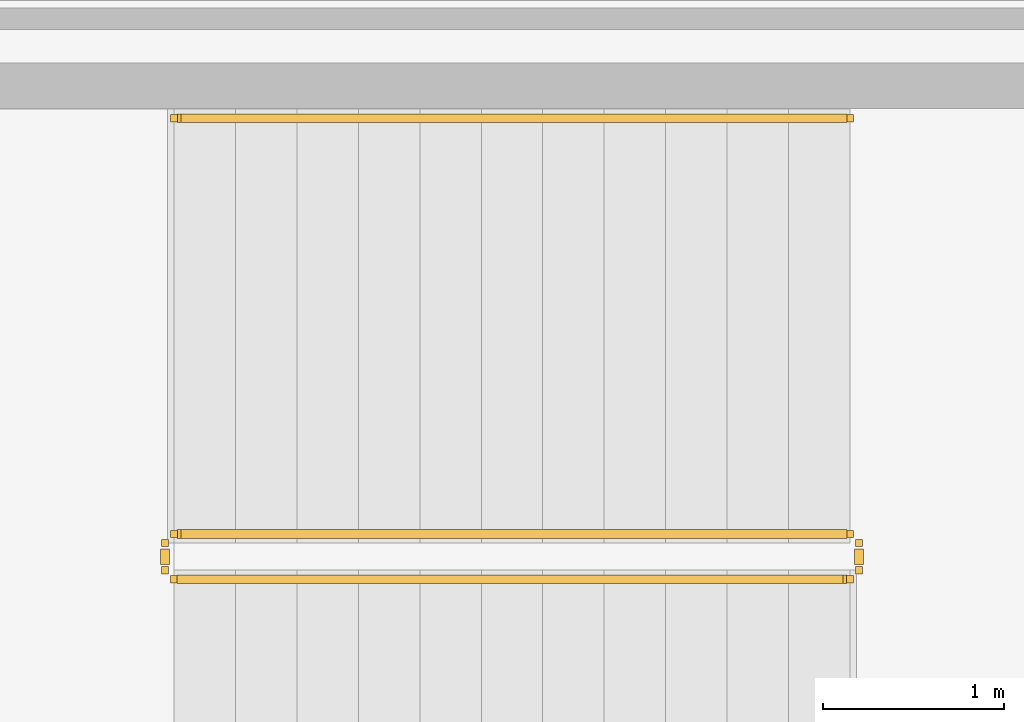
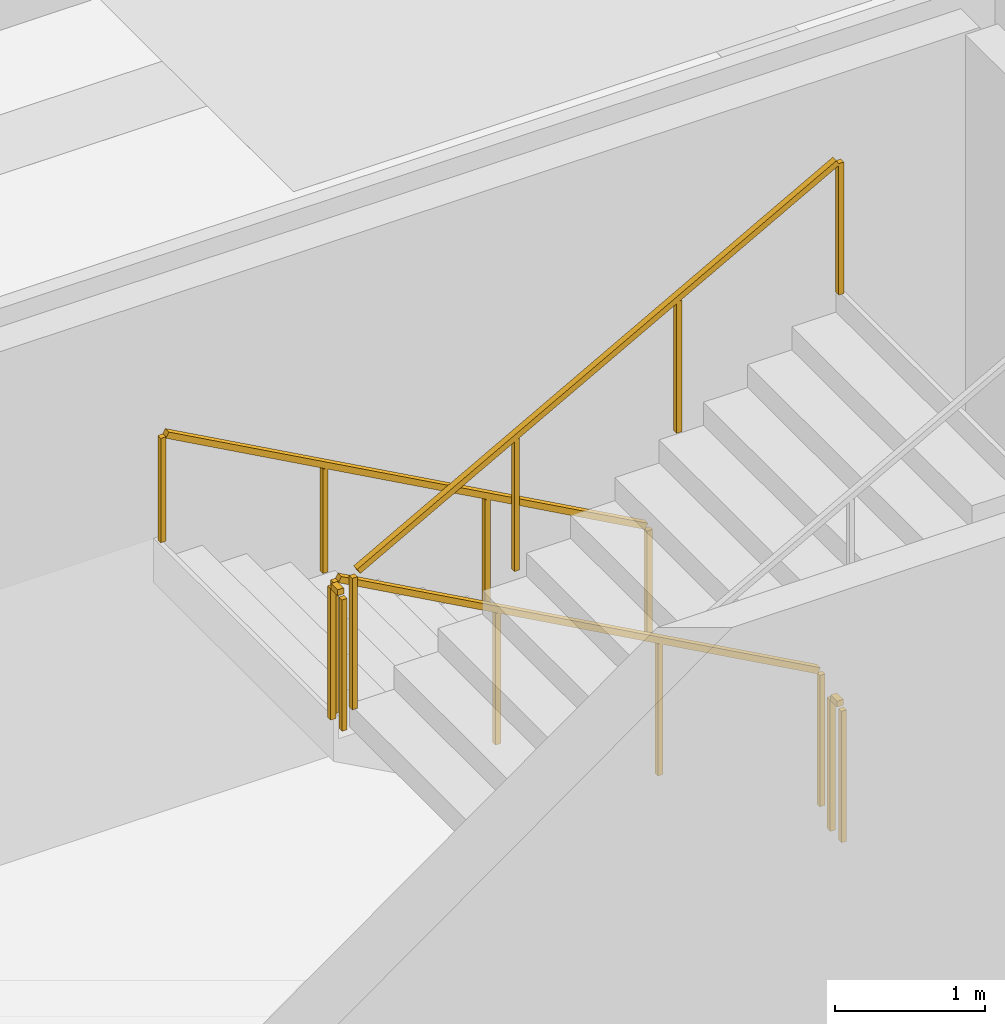
# One storey, part 14 of 15: 5 railings.
"""IFC4 building model written with IfcOpenShell, lengths in metres."""

from ifc_helpers import new_model, si_unit, direction, frame, origin, origin_2d, place, context, subcontext, project, spatial, rectangle, extrude, material, type_object, element, save


model = new_model("IFC4")

# Units and contexts
model_context = context("Model", 3, precision=1e-05, world=origin(), true_north=direction((0.0, 1.0)))
body_context = subcontext(model_context, "Body", "Model", "MODEL_VIEW")
ifc_project = project(units=[si_unit("LENGTHUNIT", "METRE"), si_unit("AREAUNIT", "SQUARE_METRE"), si_unit("VOLUMEUNIT", "CUBIC_METRE"), si_unit("PLANEANGLEUNIT", "RADIAN"), si_unit("MASSUNIT", "GRAM", prefix="KILO")], contexts=[model_context])

# Site, building, storey
site_placement = place(None, origin())
site = spatial("IfcSite", under=ifc_project, at=site_placement, CompositionType="ELEMENT")
building_placement = place(site_placement, origin())
building = spatial("IfcBuilding", under=site, at=building_placement, Name="Tharavind Bronze Gate", CompositionType="ELEMENT")
storey_placement = place(building_placement, frame((0.0, 0.0, -9.0)))
storey = spatial("IfcBuildingStorey", under=building, at=storey_placement, Name="B02", CompositionType="ELEMENT", Elevation=-9.0)

# Railings
ifc_material = material(Name="Brushed Bronze Alloy", Category="metal")
railing_type_1 = type_object("IfcRailingType", Name="STAIR BRONZE HANDRAIL 900", PredefinedType="HANDRAIL", material=ifc_material)
railing_1_placement = place(storey_placement, frame((26.0, 17.89990234375, 0.1875)))
element("IfcRailing", 1, at=railing_1_placement, inside=storey, type_object=railing_type_1, Name="B02 ST4 stair handrail 1", PredefinedType="HANDRAIL", context=body_context, shape_type="SweptSolid", body=[
    extrude(rectangle(XDim=0.048095703125, YDim=0.048095703125, at=origin_2d()), frame((-0.028076171875, 0.0, 0.891357421875), z_axis=(-0.875671045107, 0.0, 0.482908087281), x_axis=(0.0, -1.0, 0.0)), (0.0, 0.0, 1.0), 4.20703125),
    extrude(rectangle(XDim=0.0400390625, YDim=0.0400390625, at=origin_2d()), origin(), (0.0, 0.0, 1.0), 0.847900390625),
    extrude(rectangle(XDim=0.0400390625, YDim=0.0400390625, at=origin_2d()), frame((-1.24658203125, 0.0, 0.6875)), (0.0, 0.0, 1.0), 0.847900390625),
    extrude(rectangle(XDim=0.0400390625, YDim=0.0400390625, at=origin_2d()), frame((-2.493408203125, 0.0, 1.375)), (0.0, 0.0, 1.0), 0.847900390625),
    extrude(rectangle(XDim=0.0400390625, YDim=0.0400390625, at=origin_2d()), frame((-3.739990234375, 0.0, 2.0625)), (0.0, 0.0, 1.0), 0.847900390625),
])
railing_type_2 = type_object("IfcRailingType", Name="STAIR WELL GUARD RAILING 1120", PredefinedType="GUARDRAIL", material=ifc_material)
railing_2_placement = place(storey_placement, frame((26.0, 15.60009765625, 0.1875)))
element("IfcRailing", 2, at=railing_2_placement, inside=storey, type_object=railing_type_2, Name="B02 ST4 stair guard 1", PredefinedType="GUARDRAIL", context=body_context, shape_type="SweptSolid", body=[
    extrude(rectangle(XDim=0.048095703125, YDim=0.048095703125, at=origin_2d()), frame((-0.028076171875, 0.0, 1.111572265625), z_axis=(-0.875671045107, 0.0, 0.482908087281), x_axis=(0.0, -1.0, 0.0)), (0.0, 0.0, 1.0), 4.20703125),
    extrude(rectangle(XDim=0.0400390625, YDim=0.0400390625, at=origin_2d()), origin(), (0.0, 0.0, 1.0), 1.068115234375),
    extrude(rectangle(XDim=0.0400390625, YDim=0.0400390625, at=origin_2d()), frame((-1.24658203125, 0.0, 0.6875)), (0.0, 0.0, 1.0), 1.068115234375),
    extrude(rectangle(XDim=0.0400390625, YDim=0.0400390625, at=origin_2d()), frame((-2.493408203125, 0.0, 1.375)), (0.0, 0.0, 1.0), 1.068115234375),
    extrude(rectangle(XDim=0.0400390625, YDim=0.0400390625, at=origin_2d()), frame((-3.739990234375, 0.0, 2.0625)), (0.0, 0.0, 1.0), 1.068115234375),
])
railing_3_placement = place(storey_placement, frame((22.2099609375, 15.550048828125, 2.25)))
element("IfcRailing", 3, at=railing_3_placement, inside=storey, type_object=railing_type_2, Name="B02 ST4 stair guard 2", PredefinedType="GUARDRAIL", context=body_context, shape_type="SweptSolid", body=[
    extrude(rectangle(XDim=0.048095703125, YDim=0.048095703125, at=origin_2d()), frame((0.0, -0.031982421875, 1.09619140625), z_axis=(0.0, -1.0, 0.0), x_axis=(1.0, 0.0, 0.0)), (0.0, 0.0, 1.0), 0.086181640625),
    extrude(rectangle(XDim=0.0400390625, YDim=0.0400390625, at=origin_2d()), origin(), (0.0, 0.0, 1.0), 1.068115234375),
    extrude(rectangle(XDim=0.0400390625, YDim=0.0400390625, at=origin_2d()), frame((0.0, -0.150146484375, 0.0)), (0.0, 0.0, 1.0), 1.068115234375),
])
railing_4_placement = place(storey_placement, frame((22.260009765625, 15.35009765625, 2.4375)))
element("IfcRailing", 4, at=railing_4_placement, inside=storey, type_object=railing_type_2, Name="B02 ST4 stair guard 3", PredefinedType="GUARDRAIL", context=body_context, shape_type="SweptSolid", body=[
    extrude(rectangle(XDim=0.048095703125, YDim=0.048095703125, at=origin_2d()), frame((0.028076171875, 0.0, 1.111572265625), z_axis=(0.875671045107, 0.0, 0.482908087281), x_axis=(0.0, 1.0, 0.0)), (0.0, 0.0, 1.0), 4.20703125),
    extrude(rectangle(XDim=0.0400390625, YDim=0.0400390625, at=origin_2d()), origin(), (0.0, 0.0, 1.0), 1.068115234375),
    extrude(rectangle(XDim=0.0400390625, YDim=0.0400390625, at=origin_2d()), frame((1.24658203125, 0.0, 0.6875)), (0.0, 0.0, 1.0), 1.068115234375),
    extrude(rectangle(XDim=0.0400390625, YDim=0.0400390625, at=origin_2d()), frame((2.493408203125, 0.0, 1.375)), (0.0, 0.0, 1.0), 1.068115234375),
    extrude(rectangle(XDim=0.0400390625, YDim=0.0400390625, at=origin_2d()), frame((3.739990234375, 0.0, 2.0625)), (0.0, 0.0, 1.0), 1.068115234375),
])
railing_5_placement = place(storey_placement, frame((26.050048828125, 15.550048828125, 0.0)))
element("IfcRailing", 5, at=railing_5_placement, inside=storey, type_object=railing_type_2, Name="B02 ST4 stair guard 4", PredefinedType="GUARDRAIL", context=body_context, shape_type="SweptSolid", body=[
    extrude(rectangle(XDim=0.048095703125, YDim=0.048095703125, at=origin_2d()), frame((0.0, -0.031982421875, 1.09619140625), z_axis=(0.0, -1.0, 0.0), x_axis=(1.0, 0.0, 0.0)), (0.0, 0.0, 1.0), 0.086181640625),
    extrude(rectangle(XDim=0.0400390625, YDim=0.0400390625, at=origin_2d()), origin(), (0.0, 0.0, 1.0), 1.068115234375),
    extrude(rectangle(XDim=0.0400390625, YDim=0.0400390625, at=origin_2d()), frame((0.0, -0.150146484375, 0.0)), (0.0, 0.0, 1.0), 1.068115234375),
])

save(model, "model.ifc")
